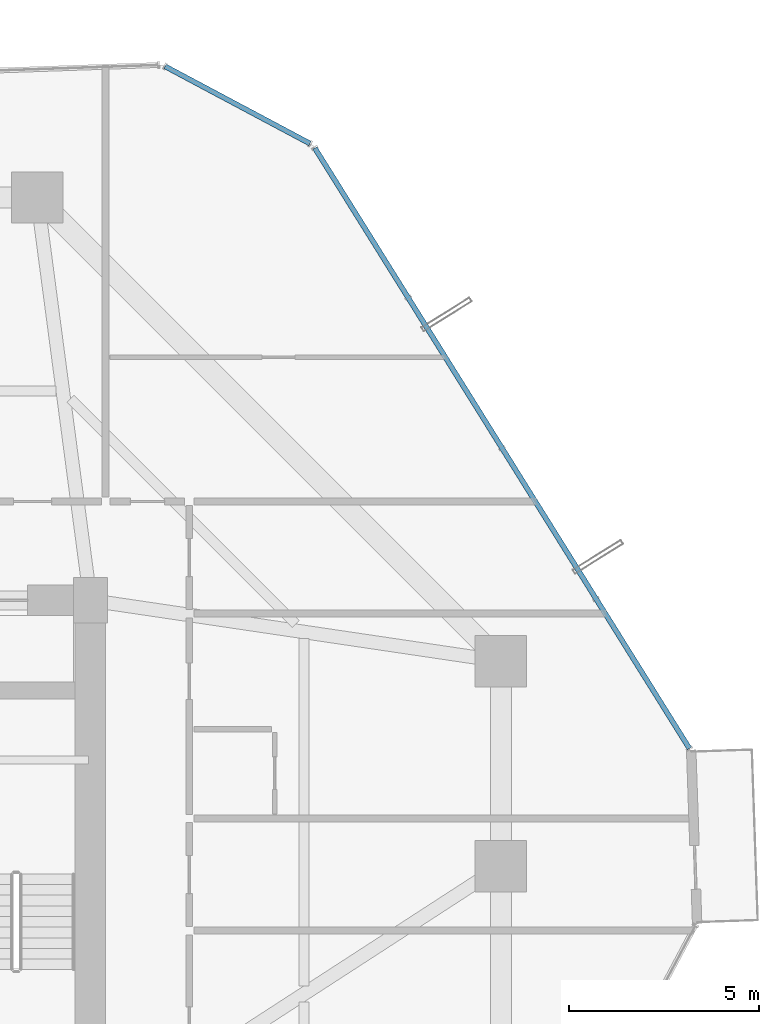
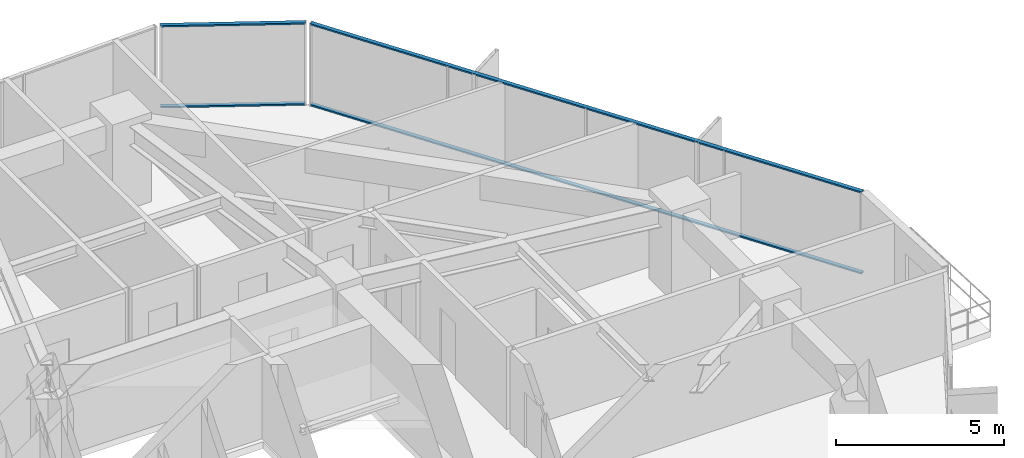
# One storey, part 32 of 39: 4 members, 2 elements without a shape of their own.
"""IFC4 building model written with IfcOpenShell, lengths in metres."""

from ifc_helpers import new_model, si_unit, direction, frame, origin, origin_2d, place, context, subcontext, project, spatial, hollow_rectangle, extrude, source, transform, mapped, material, layer, layer_set, material_profile, profile_set, type_object, element, aggregate, save


model = new_model("IFC4")

# Units and contexts
model_context = context("Model", 3, precision=1e-05, world=origin(), true_north=direction((0.0, 1.0)))
body_context = subcontext(model_context, "Body", "Model", "MODEL_VIEW")
ifc_project = project(units=[si_unit("LENGTHUNIT", "METRE"), si_unit("AREAUNIT", "SQUARE_METRE"), si_unit("VOLUMEUNIT", "CUBIC_METRE"), si_unit("PLANEANGLEUNIT", "RADIAN"), si_unit("MASSUNIT", "GRAM", prefix="KILO")], contexts=[model_context])

# Site, building, storey
site_placement = place(None, origin())
site = spatial("IfcSite", under=ifc_project, at=site_placement, CompositionType="ELEMENT")
building_placement = place(site_placement, origin())
building = spatial("IfcBuilding", under=site, at=building_placement, Name="Veraguas Prism Commons", CompositionType="ELEMENT")
storey_placement = place(building_placement, frame((0.0, 0.0, 30.550048828125)))
storey = spatial("IfcBuildingStorey", under=building, at=storey_placement, Name="L07", CompositionType="ELEMENT", Elevation=30.550048828125)

# Curtain wall, members
ifc_material = material(Name="Anodised aluminium EN AW-6063 T6", Category="aluminium")
ifc_layer = layer(ifc_material, 0.169921875, Name="Unitised Flush Curtain Wall Zone 1", Category="aluminium")
ifc_layer_set = layer_set([ifc_layer], Name="Anodised aluminium EN AW-6063 T6")
curtain_wall_type = type_object("IfcCurtainWallType", Name="Unitised Flush Curtain Wall Zone 1", PredefinedType="NOTDEFINED", material=ifc_layer_set)
curtain_wall_1_placement = place(storey_placement, origin())
curtain_wall_1 = element("IfcCurtainWall", 1, at=curtain_wall_1_placement, inside=storey, type_object=curtain_wall_type, Name="Tower Facade Curtain Wall L07-F1", PredefinedType="NOTDEFINED")
ifc_material_profile = material_profile(ifc_material, hollow_rectangle(XDim=0.054931640625, YDim=0.135009765625, WallThickness=0.0029296875, at=origin_2d()), Name="AL55X135X3")
ifc_profile_set = profile_set([ifc_material_profile], Name="Anodised aluminium EN AW-6063 T6")
member_type = type_object("IfcMemberType", Name="Curtain Wall Transom Standard AL 55x135x3", PredefinedType="USERDEFINED", material=ifc_profile_set)
shared_shape_1 = source(origin(), body_context, "Body", "SweptSolid", [
    extrude(hollow_rectangle(XDim=0.054931640625, YDim=0.135009765625, WallThickness=0.0029296875, at=origin_2d()), origin(), (0.0, 0.0, 1.0), 18.623779296875),
])
member_1_placement = place(storey_placement, frame((46.56298828125, 27.1015625, 0.02734375), z_axis=(-0.529320041875, 0.848422237609, 0.0), x_axis=(0.0, 0.0, 1.0)))
member_1 = element("IfcMember", 2, at=member_1_placement, type_object=member_type, Name="CW-Z1 Transom 1", ObjectType="TRANSOM", PredefinedType="USERDEFINED", context=body_context, shape_type="MappedRepresentation", body=[
    mapped(shared_shape_1, transform((0.0, 0.0, 0.0), scale=1.0)),
])
member_2_placement = place(storey_placement, frame((46.56298828125, 27.1015625, 2.972412109375), z_axis=(-0.529320041875, 0.848422237609, 0.0), x_axis=(0.0, 0.0, 1.0)))
member_2 = element("IfcMember", 3, at=member_2_placement, type_object=member_type, Name="CW-Z1 Transom 2", ObjectType="TRANSOM", PredefinedType="USERDEFINED", context=body_context, shape_type="MappedRepresentation", body=[
    mapped(shared_shape_1, transform((0.0, 0.0, 0.0), scale=1.0)),
])
aggregate(curtain_wall_1, [member_1, member_2])

curtain_wall_2_placement = place(storey_placement, origin())
curtain_wall_2 = element("IfcCurtainWall", 4, at=curtain_wall_2_placement, inside=storey, type_object=curtain_wall_type, Name="Chamfer Curtain Wall L07-C2", PredefinedType="NOTDEFINED")
shared_shape_2 = source(origin(), body_context, "Body", "SweptSolid", [
    extrude(hollow_rectangle(XDim=0.054931640625, YDim=0.135009765625, WallThickness=0.0029296875, at=origin_2d()), origin(), (0.0, 0.0, 1.0), 4.31982421875),
])
member_3_placement = place(storey_placement, frame((36.577880859375, 43.02099609375, 0.02734375), z_axis=(-0.882612507263, 0.470101225294, 0.0), x_axis=(0.0, 0.0, 1.0)))
member_3 = element("IfcMember", 5, at=member_3_placement, type_object=member_type, Name="CW-Z1 Transom 1", ObjectType="TRANSOM", PredefinedType="USERDEFINED", context=body_context, shape_type="MappedRepresentation", body=[
    mapped(shared_shape_2, transform((0.0, 0.0, 0.0), scale=1.0)),
])
member_4_placement = place(storey_placement, frame((36.577880859375, 43.02099609375, 2.972412109375), z_axis=(-0.882612507263, 0.470101225294, 0.0), x_axis=(0.0, 0.0, 1.0)))
member_4 = element("IfcMember", 6, at=member_4_placement, type_object=member_type, Name="CW-Z1 Transom 2", ObjectType="TRANSOM", PredefinedType="USERDEFINED", context=body_context, shape_type="MappedRepresentation", body=[
    mapped(shared_shape_2, transform((0.0, 0.0, 0.0), scale=1.0)),
])
aggregate(curtain_wall_2, [member_3, member_4])

save(model, "model.ifc")
